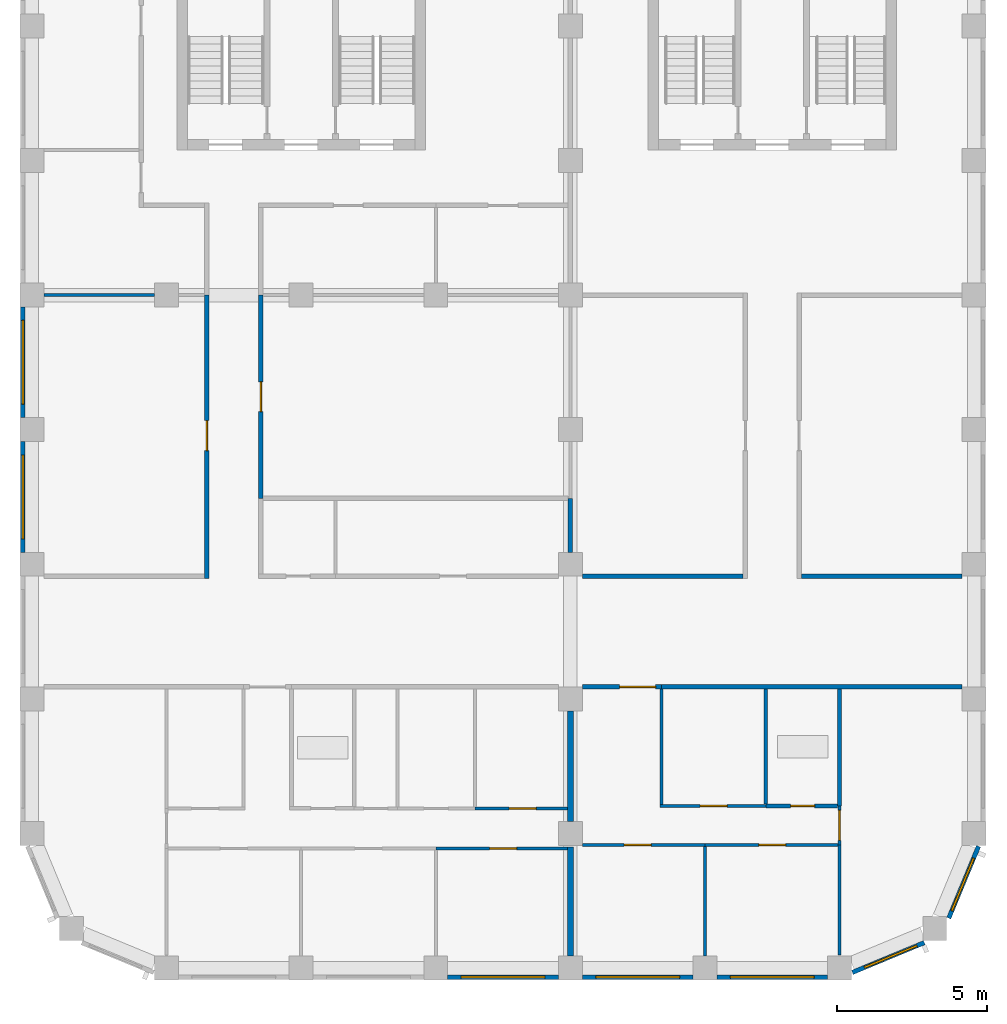
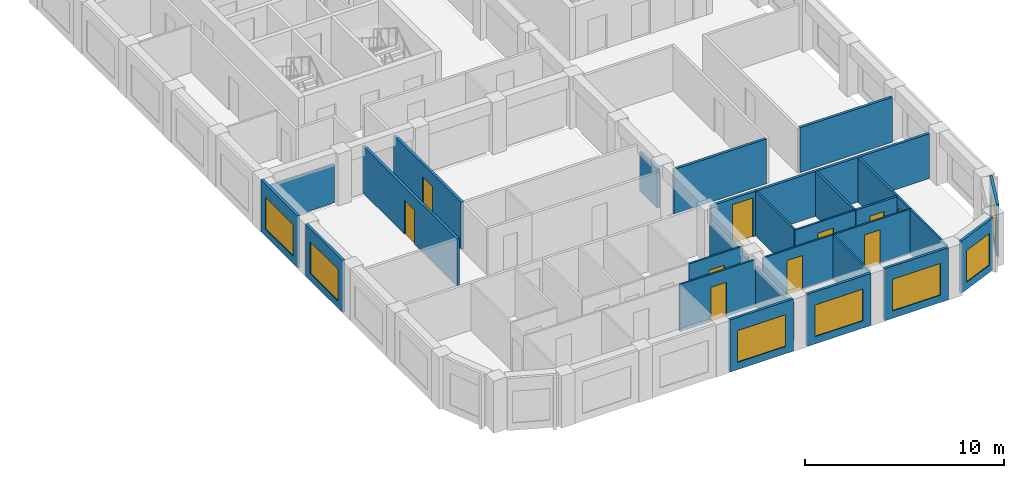
# One storey, part 3 of 10: 29 walls, 10 doors, 7 windows, 17 openings.
"""IFC4 building model written with IfcOpenShell, lengths in metres."""

from ifc_helpers import new_model, si_unit, direction, frame, frame_2d, origin, place, context, subcontext, project, spatial, rectangle, extrude, material, layer, layer_set, type_object, element, fill, save


model = new_model("IFC4")

# Units and contexts
model_context = context("Model", 3, precision=1e-05, world=origin(), true_north=direction((0.0, 1.0)))
body_context = subcontext(model_context, "Body", "Model", "MODEL_VIEW")
ifc_project = project(units=[si_unit("LENGTHUNIT", "METRE"), si_unit("AREAUNIT", "SQUARE_METRE"), si_unit("VOLUMEUNIT", "CUBIC_METRE"), si_unit("PLANEANGLEUNIT", "RADIAN"), si_unit("MASSUNIT", "GRAM", prefix="KILO")], contexts=[model_context])

# Site, building, storey
site_placement = place(None, origin())
site = spatial("IfcSite", under=ifc_project, at=site_placement, CompositionType="ELEMENT")
building_placement = place(site_placement, origin())
building = spatial("IfcBuilding", under=site, at=building_placement, Name="Girih Gate Residences", CompositionType="ELEMENT")
storey_placement = place(building_placement, frame((0.0, 0.0, 192.300048828125)))
storey = spatial("IfcBuildingStorey", under=building, at=storey_placement, Name="L53", CompositionType="ELEMENT", Elevation=192.300048828125)

# Wall, opening, door
ifc_material_1 = material(Name="Gypsum board on steel studs", Category="steel")
ifc_layer_1 = layer(ifc_material_1, 0.14990234375)
ifc_layer_set_1 = layer_set([ifc_layer_1], Name="Compartment wall 150 mm")
wall_type_1 = type_object("IfcWallType", Name="Compartment wall 150 mm", PredefinedType="PARTITIONING", material=ifc_layer_set_1)
wall_1_placement = place(storey_placement, frame((21.050048828125, 9.39990234375, 0.0), z_axis=(0.0, 0.0, 1.0), x_axis=(-1.0, 0.0, 0.0)))
wall_1 = element("IfcWall", 1, at=wall_1_placement, inside=storey, type_object=wall_type_1, Name="L53 partition", PredefinedType="PARTITIONING", context=body_context, shape_type="SweptSolid", body=[
    extrude(rectangle(XDim=2.650146484375, YDim=0.14990234375, at=frame_2d((1.3251953125, 0.0))), origin(), (0.0, 0.0, 1.0), 2.75),
])
opening_1_placement = place(wall_1_placement, frame((0.199951171875, 0.0, 0.0)))
opening_1 = element("IfcOpeningElement", 2, at=opening_1_placement, cuts=wall_1, Name="Opening A53-026", PredefinedType="OPENING", context=body_context, shape_type="SweptSolid", body=[
    extrude(rectangle(XDim=1.199951171875, YDim=2.39990234375, at=frame_2d((0.60009765625, 1.199951171875))), frame((0.0, 0.0849609375, 0.0), z_axis=(0.0, -1.0, 0.0), x_axis=(1.0, 0.0, 0.0)), (0.0, 0.0, 1.0), 0.169921875),
])
ifc_material_2 = material(Name="Timber, fire-rated core", Category="wood")
door_type_1 = type_object("IfcDoorType", Name="Villa entrance door 1200x2400 FD30S", OperationType="NOTDEFINED", PredefinedType="DOOR", material=ifc_material_2)
door_1_placement = place(opening_1_placement, origin())
door_1 = element("IfcDoor", 3, at=door_1_placement, inside=storey, type_object=door_type_1, Name="Door A53-026", OperationType="SINGLE_SWING_LEFT", OverallHeight=2.39990234375, OverallWidth=1.199951171875, PredefinedType="DOOR", context=body_context, shape_type="SweptSolid", body=[
    extrude(rectangle(XDim=1.199951171875, YDim=2.39990234375, at=frame_2d((0.60009765625, 1.199951171875))), frame((0.0, 0.02490234375, 0.0), z_axis=(0.0, -1.0, 0.0), x_axis=(1.0, 0.0, 0.0)), (0.0, 0.0, 1.0), 0.050048828125),
])
fill(opening_1, door_1)

# Wall
wall_2_placement = place(storey_placement, frame((21.050048828125, 9.39990234375, 0.0), z_axis=(0.0, 0.0, 1.0), x_axis=(1.0, 0.0, 0.0)))
element("IfcWall", 4, at=wall_2_placement, inside=storey, type_object=wall_type_1, Name="L53 partition", PredefinedType="PARTITIONING", context=body_context, shape_type="SweptSolid", body=[
    extrude(rectangle(XDim=10.050048828125, YDim=0.14990234375, at=frame_2d((5.02490234375, 0.0))), origin(), (0.0, 0.0, 1.0), 2.75),
])

# Wall, opening, door
wall_3_placement = place(storey_placement, frame((7.64990234375, 22.5, 0.0), z_axis=(0.0, 0.0, 1.0), x_axis=(0.0, -1.0, 0.0)))
wall_3 = element("IfcWall", 5, at=wall_3_placement, inside=storey, type_object=wall_type_1, Name="L53 partition", PredefinedType="PARTITIONING", context=body_context, shape_type="SweptSolid", body=[
    extrude(rectangle(XDim=6.800048828125, YDim=0.14990234375, at=frame_2d((3.39990234375, 0.0))), origin(), (0.0, 0.0, 1.0), 2.89990234375),
])
opening_2_placement = place(wall_3_placement, frame((2.89990234375, 0.0, 0.0)))
opening_2 = element("IfcOpeningElement", 6, at=opening_2_placement, cuts=wall_3, Name="Opening A53-027", PredefinedType="OPENING", context=body_context, shape_type="SweptSolid", body=[
    extrude(rectangle(XDim=1.0, YDim=2.10009765625, at=frame_2d((0.5, 1.050048828125))), frame((0.0, 0.0849609375, 0.0), z_axis=(0.0, -1.0, 0.0), x_axis=(1.0, 0.0, 0.0)), (0.0, 0.0, 1.0), 0.169921875),
])
door_type_2 = type_object("IfcDoorType", Name="Amenity room door 1000x2100 FD30S", OperationType="NOTDEFINED", PredefinedType="DOOR", material=ifc_material_2)
door_2_placement = place(opening_2_placement, origin())
door_2 = element("IfcDoor", 7, at=door_2_placement, inside=storey, type_object=door_type_2, Name="Door A53-027", OperationType="SINGLE_SWING_LEFT", OverallHeight=2.10009765625, OverallWidth=1.0, PredefinedType="DOOR", context=body_context, shape_type="SweptSolid", body=[
    extrude(rectangle(XDim=1.0, YDim=2.10009765625, at=frame_2d((0.5, 1.050048828125))), frame((0.0, 0.02490234375, 0.0), z_axis=(0.0, -1.0, 0.0), x_axis=(1.0, 0.0, 0.0)), (0.0, 0.0, 1.0), 0.050048828125),
])
fill(opening_2, door_2)

# Walls
for number, where, z_axis, x_axis, name in (
    (8, (18.39990234375, 13.10009765625, 0.0), (0.0, 0.0, 1.0), (1.0, 0.0, 0.0), "L53 partition"),
    (9, (25.72509765625, 13.10009765625, 0.0), (0.0, 0.0, 1.0), (1.0, 0.0, 0.0), "L53 partition"),
):
    element("IfcWall", number, at=place(storey_placement, frame(where, z_axis=z_axis, x_axis=x_axis)), inside=storey, type_object=wall_type_1, Name=name, PredefinedType="PARTITIONING", context=body_context, shape_type="SweptSolid", body=[
        extrude(rectangle(XDim=5.375, YDim=0.14990234375, at=frame_2d((2.6875, 0.0))), origin(), (0.0, 0.0, 1.0), 2.75),
    ])
wall_4_placement = place(storey_placement, frame((18.0, 13.89990234375, 0.0), z_axis=(0.0, 0.0, 1.0), x_axis=(0.0, 1.0, 0.0)))
element("IfcWall", 10, at=wall_4_placement, inside=storey, type_object=wall_type_1, Name="L53 partition", PredefinedType="PARTITIONING", context=body_context, shape_type="SweptSolid", body=[
    extrude(rectangle(XDim=1.800048828125, YDim=0.14990234375, at=frame_2d((0.89990234375, 0.0))), origin(), (0.0, 0.0, 1.0), 2.3798828125),
])

# Wall, opening, door
wall_5_placement = place(storey_placement, frame((5.85009765625, 13.02490234375, 0.0), z_axis=(0.0, 0.0, 1.0), x_axis=(0.0, 1.0, 0.0)))
wall_5 = element("IfcWall", 11, at=wall_5_placement, inside=storey, type_object=wall_type_1, Name="L53 partition", PredefinedType="PARTITIONING", context=body_context, shape_type="SweptSolid", body=[
    extrude(rectangle(XDim=9.47509765625, YDim=0.14990234375, at=frame_2d((4.737548828125, 0.0))), origin(), (0.0, 0.0, 1.0), 2.89990234375),
])
opening_3_placement = place(wall_5_placement, frame((4.27490234375, 0.0, 0.0)))
opening_3 = element("IfcOpeningElement", 12, at=opening_3_placement, cuts=wall_5, Name="Opening A53-040", PredefinedType="OPENING", context=body_context, shape_type="SweptSolid", body=[
    extrude(rectangle(XDim=1.0, YDim=2.10009765625, at=frame_2d((0.5, 1.050048828125))), frame((0.0, 0.0849609375, 0.0), z_axis=(0.0, -1.0, 0.0), x_axis=(1.0, 0.0, 0.0)), (0.0, 0.0, 1.0), 0.169921875),
])
door_3_placement = place(opening_3_placement, origin())
door_3 = element("IfcDoor", 13, at=door_3_placement, inside=storey, type_object=door_type_2, Name="Door A53-040", OperationType="SINGLE_SWING_RIGHT", OverallHeight=2.10009765625, OverallWidth=1.0, PredefinedType="DOOR", context=body_context, shape_type="SweptSolid", body=[
    extrude(rectangle(XDim=1.0, YDim=2.10009765625, at=frame_2d((0.5, 1.050048828125))), frame((0.0, 0.02490234375, 0.0), z_axis=(0.0, -1.0, 0.0), x_axis=(1.0, 0.0, 0.0)), (0.0, 0.0, 1.0), 0.050048828125),
])
fill(opening_3, door_3)

ifc_layer_2 = layer(ifc_material_1, 0.10009765625)
ifc_layer_set_2 = layer_set([ifc_layer_2], Name="Partition 100 mm")
wall_type_2 = type_object("IfcWallType", Name="Partition 100 mm", PredefinedType="PARTITIONING", material=ifc_layer_set_2)
wall_6_placement = place(storey_placement, frame((17.89990234375, 4.0, 0.0), z_axis=(0.0, 0.0, 1.0), x_axis=(-1.0, 0.0, 0.0)))
wall_6 = element("IfcWall", 14, at=wall_6_placement, inside=storey, type_object=wall_type_2, Name="L53 partition", PredefinedType="PARTITIONING", context=body_context, shape_type="SweptSolid", body=[
    extrude(rectangle(XDim=4.39990234375, YDim=0.10009765625, at=frame_2d((2.199951171875, 0.0))), origin(), (0.0, 0.0, 1.0), 2.89990234375),
])
opening_4_placement = place(wall_6_placement, frame((1.699951171875, 0.0, 0.0)))
opening_4 = element("IfcOpeningElement", 15, at=opening_4_placement, cuts=wall_6, Name="Opening A53-004", PredefinedType="OPENING", context=body_context, shape_type="SweptSolid", body=[
    extrude(rectangle(XDim=0.89990234375, YDim=2.10009765625, at=frame_2d((0.449951171875, 1.050048828125))), frame((0.0, 0.06005859375, 0.0), z_axis=(0.0, -1.0, 0.0), x_axis=(1.0, 0.0, 0.0)), (0.0, 0.0, 1.0), 0.1201171875),
])
ifc_material_3 = material(Name="Timber", Category="wood")
door_type_3 = type_object("IfcDoorType", Name="Bedroom door 900x2100", OperationType="NOTDEFINED", PredefinedType="DOOR", material=ifc_material_3)
door_4_placement = place(opening_4_placement, origin())
door_4 = element("IfcDoor", 16, at=door_4_placement, inside=storey, type_object=door_type_3, Name="Door A53-004", OperationType="SINGLE_SWING_LEFT", OverallHeight=2.10009765625, OverallWidth=0.89990234375, PredefinedType="DOOR", context=body_context, shape_type="SweptSolid", body=[
    extrude(rectangle(XDim=0.89990234375, YDim=2.10009765625, at=frame_2d((0.449951171875, 1.050048828125))), frame((0.0, 0.02490234375, 0.0), z_axis=(0.0, -1.0, 0.0), x_axis=(1.0, 0.0, 0.0)), (0.0, 0.0, 1.0), 0.050048828125),
])
fill(opening_4, door_4)

wall_7_placement = place(storey_placement, frame((14.8076171875, 5.340087890625, 0.0), z_axis=(0.0, 0.0, 1.0), x_axis=(1.0, 0.0, 0.0)))
wall_7 = element("IfcWall", 17, at=wall_7_placement, inside=storey, type_object=wall_type_2, Name="L53 partition", PredefinedType="PARTITIONING", context=body_context, shape_type="SweptSolid", body=[
    extrude(rectangle(XDim=3.09228515625, YDim=0.10009765625, at=frame_2d((1.546142578125, 0.0))), origin(), (0.0, 0.0, 1.0), 2.89990234375),
])
opening_5_placement = place(wall_7_placement, frame((1.146240234375, 0.0, 0.0)))
opening_5 = element("IfcOpeningElement", 18, at=opening_5_placement, cuts=wall_7, Name="Opening A53-009", PredefinedType="OPENING", context=body_context, shape_type="SweptSolid", body=[
    extrude(rectangle(XDim=0.89990234375, YDim=2.10009765625, at=frame_2d((0.449951171875, 1.050048828125))), frame((0.0, 0.06005859375, 0.0), z_axis=(0.0, -1.0, 0.0), x_axis=(1.0, 0.0, 0.0)), (0.0, 0.0, 1.0), 0.1201171875),
])
door_5_placement = place(opening_5_placement, origin())
door_5 = element("IfcDoor", 19, at=door_5_placement, inside=storey, type_object=door_type_3, Name="Door A53-009", OperationType="SINGLE_SWING_RIGHT", OverallHeight=2.10009765625, OverallWidth=0.89990234375, PredefinedType="DOOR", context=body_context, shape_type="SweptSolid", body=[
    extrude(rectangle(XDim=0.89990234375, YDim=2.10009765625, at=frame_2d((0.449951171875, 1.050048828125))), frame((0.0, 0.02490234375, 0.0), z_axis=(0.0, -1.0, 0.0), x_axis=(1.0, 0.0, 0.0)), (0.0, 0.0, 1.0), 0.050048828125),
])
fill(opening_5, door_5)

# Wall
wall_8_placement = place(storey_placement, frame((22.5, 0.39990234375, 0.0), z_axis=(0.0, 0.0, 1.0), x_axis=(0.0, 1.0, 0.0)))
element("IfcWall", 20, at=wall_8_placement, inside=storey, type_object=wall_type_2, Name="L53 partition", PredefinedType="PARTITIONING", context=body_context, shape_type="SweptSolid", body=[
    extrude(rectangle(XDim=3.670166015625, YDim=0.10009765625, at=frame_2d((1.8349609375, 0.0))), origin(), (0.0, 0.0, 1.0), 2.75),
])

# Wall, opening, door
wall_9_placement = place(storey_placement, frame((22.5, 4.1201171875, 0.0), z_axis=(0.0, 0.0, 1.0), x_axis=(-1.0, 0.0, 0.0)))
wall_9 = element("IfcWall", 21, at=wall_9_placement, inside=storey, type_object=wall_type_2, Name="L53 partition", PredefinedType="PARTITIONING", context=body_context, shape_type="SweptSolid", body=[
    extrude(rectangle(XDim=4.10009765625, YDim=0.10009765625, at=frame_2d((2.050048828125, 0.0))), origin(), (0.0, 0.0, 1.0), 2.75),
])
opening_6_placement = place(wall_9_placement, frame((1.800048828125, 0.0, 0.0)))
opening_6 = element("IfcOpeningElement", 22, at=opening_6_placement, cuts=wall_9, Name="Opening A53-022", PredefinedType="OPENING", context=body_context, shape_type="SweptSolid", body=[
    extrude(rectangle(XDim=0.89990234375, YDim=2.10009765625, at=frame_2d((0.449951171875, 1.050048828125))), frame((0.0, 0.06005859375, 0.0), z_axis=(0.0, -1.0, 0.0), x_axis=(1.0, 0.0, 0.0)), (0.0, 0.0, 1.0), 0.1201171875),
])
door_6_placement = place(opening_6_placement, origin())
door_6 = element("IfcDoor", 23, at=door_6_placement, inside=storey, type_object=door_type_3, Name="Door A53-022", OperationType="SINGLE_SWING_RIGHT", OverallHeight=2.10009765625, OverallWidth=0.89990234375, PredefinedType="DOOR", context=body_context, shape_type="SweptSolid", body=[
    extrude(rectangle(XDim=0.89990234375, YDim=2.10009765625, at=frame_2d((0.449951171875, 1.050048828125))), frame((0.0, 0.02490234375, 0.0), z_axis=(0.0, -1.0, 0.0), x_axis=(1.0, 0.0, 0.0)), (0.0, 0.0, 1.0), 0.050048828125),
])
fill(opening_6, door_6)

wall_10_placement = place(storey_placement, frame((26.949951171875, 4.1201171875, 0.0), z_axis=(0.0, 0.0, 1.0), x_axis=(-1.0, 0.0, 0.0)))
wall_10 = element("IfcWall", 24, at=wall_10_placement, inside=storey, type_object=wall_type_2, Name="L53 partition", PredefinedType="PARTITIONING", context=body_context, shape_type="SweptSolid", body=[
    extrude(rectangle(XDim=4.449951171875, YDim=0.10009765625, at=frame_2d((2.22509765625, 0.0))), origin(), (0.0, 0.0, 1.0), 2.75),
])
opening_7_placement = place(wall_10_placement, frame((1.75, 0.0, 0.0)))
opening_7 = element("IfcOpeningElement", 25, at=opening_7_placement, cuts=wall_10, Name="Opening A53-023", PredefinedType="OPENING", context=body_context, shape_type="SweptSolid", body=[
    extrude(rectangle(XDim=0.89990234375, YDim=2.10009765625, at=frame_2d((0.449951171875, 1.050048828125))), frame((0.0, 0.06005859375, 0.0), z_axis=(0.0, -1.0, 0.0), x_axis=(1.0, 0.0, 0.0)), (0.0, 0.0, 1.0), 0.1201171875),
])
door_7_placement = place(opening_7_placement, origin())
door_7 = element("IfcDoor", 26, at=door_7_placement, inside=storey, type_object=door_type_3, Name="Door A53-023", OperationType="SINGLE_SWING_LEFT", OverallHeight=2.10009765625, OverallWidth=0.89990234375, PredefinedType="DOOR", context=body_context, shape_type="SweptSolid", body=[
    extrude(rectangle(XDim=0.89990234375, YDim=2.10009765625, at=frame_2d((0.449951171875, 1.050048828125))), frame((0.0, 0.02490234375, 0.0), z_axis=(0.0, -1.0, 0.0), x_axis=(1.0, 0.0, 0.0)), (0.0, 0.0, 1.0), 0.050048828125),
])
fill(opening_7, door_7)

# Walls
wall_11_placement = place(storey_placement, frame((27.0, 0.432861328125, 0.0), z_axis=(0.0, 0.0, 1.0), x_axis=(0.0, 1.0, 0.0)))
element("IfcWall", 27, at=wall_11_placement, inside=storey, type_object=wall_type_2, Name="L53 partition", PredefinedType="PARTITIONING", context=body_context, shape_type="SweptSolid", body=[
    extrude(rectangle(XDim=3.687255859375, YDim=0.10009765625, at=frame_2d((1.84375, 0.0))), origin(), (0.0, 0.0, 1.0), 2.75),
])
wall_12_placement = place(storey_placement, frame((21.050048828125, 5.469970703125, 0.0), z_axis=(0.0, 0.0, 1.0), x_axis=(0.0, 1.0, 0.0)))
element("IfcWall", 28, at=wall_12_placement, inside=storey, type_object=wall_type_2, Name="L53 partition", PredefinedType="PARTITIONING", context=body_context, shape_type="SweptSolid", body=[
    extrude(rectangle(XDim=3.85498046875, YDim=0.10009765625, at=frame_2d((1.927490234375, 0.0))), origin(), (0.0, 0.0, 1.0), 2.75),
])

# Wall, opening, door
wall_13_placement = place(storey_placement, frame((21.0, 5.419921875, 0.0), z_axis=(0.0, 0.0, 1.0), x_axis=(1.0, 0.0, 0.0)))
wall_13 = element("IfcWall", 29, at=wall_13_placement, inside=storey, type_object=wall_type_2, Name="L53 partition", PredefinedType="PARTITIONING", context=body_context, shape_type="SweptSolid", body=[
    extrude(rectangle(XDim=3.53369140625, YDim=0.10009765625, at=frame_2d((1.766845703125, 0.0))), origin(), (0.0, 0.0, 1.0), 2.75),
])
opening_8_placement = place(wall_13_placement, frame((1.341796875, 0.0, 0.0)))
opening_8 = element("IfcOpeningElement", 30, at=opening_8_placement, cuts=wall_13, Name="Opening A53-024", PredefinedType="OPENING", context=body_context, shape_type="SweptSolid", body=[
    extrude(rectangle(XDim=0.89990234375, YDim=2.10009765625, at=frame_2d((0.449951171875, 1.050048828125))), frame((0.0, 0.06005859375, 0.0), z_axis=(0.0, -1.0, 0.0), x_axis=(1.0, 0.0, 0.0)), (0.0, 0.0, 1.0), 0.1201171875),
])
door_type_4 = type_object("IfcDoorType", Name="Kitchen door 900x2100", OperationType="NOTDEFINED", PredefinedType="DOOR", material=ifc_material_3)
door_8_placement = place(opening_8_placement, origin())
door_8 = element("IfcDoor", 31, at=door_8_placement, inside=storey, type_object=door_type_4, Name="Door A53-024", OperationType="SINGLE_SWING_RIGHT", OverallHeight=2.10009765625, OverallWidth=0.89990234375, PredefinedType="DOOR", context=body_context, shape_type="SweptSolid", body=[
    extrude(rectangle(XDim=0.89990234375, YDim=2.10009765625, at=frame_2d((0.449951171875, 1.050048828125))), frame((0.0, 0.02490234375, 0.0), z_axis=(0.0, -1.0, 0.0), x_axis=(1.0, 0.0, 0.0)), (0.0, 0.0, 1.0), 0.050048828125),
])
fill(opening_8, door_8)

wall_14_placement = place(storey_placement, frame((27.0, 5.419921875, 0.0), z_axis=(0.0, 0.0, 1.0), x_axis=(0.0, -1.0, 0.0)))
wall_14 = element("IfcWall", 32, at=wall_14_placement, inside=storey, type_object=wall_type_2, Name="L53 partition", PredefinedType="PARTITIONING", context=body_context, shape_type="SweptSolid", body=[
    extrude(rectangle(XDim=1.2998046875, YDim=0.10009765625, at=frame_2d((0.64990234375, 0.0))), origin(), (0.0, 0.0, 1.0), 2.75),
])
opening_9_placement = place(wall_14_placement, frame((0.14990234375, 0.0, 0.0)))
opening_9 = element("IfcOpeningElement", 33, at=opening_9_placement, cuts=wall_14, Name="Opening A53-025", PredefinedType="OPENING", context=body_context, shape_type="SweptSolid", body=[
    extrude(rectangle(XDim=1.0, YDim=2.10009765625, at=frame_2d((0.5, 1.050048828125))), frame((0.0, 0.06005859375, 0.0), z_axis=(0.0, -1.0, 0.0), x_axis=(1.0, 0.0, 0.0)), (0.0, 0.0, 1.0), 0.1201171875),
])
door_type_5 = type_object("IfcDoorType", Name="Living room door 1000x2100", OperationType="NOTDEFINED", PredefinedType="DOOR", material=ifc_material_3)
door_9_placement = place(opening_9_placement, origin())
door_9 = element("IfcDoor", 34, at=door_9_placement, inside=storey, type_object=door_type_5, Name="Door A53-025", OperationType="SINGLE_SWING_LEFT", OverallHeight=2.10009765625, OverallWidth=1.0, PredefinedType="DOOR", context=body_context, shape_type="SweptSolid", body=[
    extrude(rectangle(XDim=1.0, YDim=2.10009765625, at=frame_2d((0.5, 1.050048828125))), frame((0.0, 0.02490234375, 0.0), z_axis=(0.0, -1.0, 0.0), x_axis=(1.0, 0.0, 0.0)), (0.0, 0.0, 1.0), 0.050048828125),
])
fill(opening_9, door_9)

# Walls
wall_15_placement = place(storey_placement, frame((0.39990234375, 22.5, 0.0), z_axis=(0.0, 0.0, 1.0), x_axis=(1.0, 0.0, 0.0)))
element("IfcWall", 35, at=wall_15_placement, inside=storey, type_object=wall_type_2, Name="L53 partition", PredefinedType="PARTITIONING", context=body_context, shape_type="SweptSolid", body=[
    extrude(rectangle(XDim=3.7001953125, YDim=0.10009765625, at=frame_2d((1.85009765625, 0.0))), origin(), (0.0, 0.0, 1.0), 2.3798828125),
])
ifc_layer_3 = layer(ifc_material_1, 0.199951171875)
ifc_layer_set_3 = layer_set([ifc_layer_3], Name="Party wall 200 mm")
wall_type_3 = type_object("IfcWallType", Name="Party wall 200 mm", PredefinedType="PARTITIONING", material=ifc_layer_set_3)
wall_16_placement = place(storey_placement, frame((18.0, 0.39990234375, 0.0), z_axis=(0.0, 0.0, 1.0), x_axis=(0.0, 1.0, 0.0)))
element("IfcWall", 36, at=wall_16_placement, inside=storey, type_object=wall_type_3, Name="L53 partition", PredefinedType="PARTITIONING", context=body_context, shape_type="SweptSolid", body=[
    extrude(rectangle(XDim=3.650146484375, YDim=0.199951171875, at=frame_2d((1.8251953125, 0.0))), origin(), (0.0, 0.0, 1.0), 2.3798828125),
])
wall_17_placement = place(storey_placement, frame((18.0, 4.89990234375, 0.0), z_axis=(0.0, 0.0, 1.0), x_axis=(0.0, 1.0, 0.0)))
element("IfcWall", 37, at=wall_17_placement, inside=storey, type_object=wall_type_3, Name="L53 partition", PredefinedType="PARTITIONING", context=body_context, shape_type="SweptSolid", body=[
    extrude(rectangle(XDim=3.7001953125, YDim=0.199951171875, at=frame_2d((1.85009765625, 0.0))), origin(), (0.0, 0.0, 1.0), 2.3798828125),
])

# Wall, opening, window
ifc_material_4 = material(Name="Precast concrete C50/60", Category="concrete")
ifc_layer_4 = layer(ifc_material_4, 0.050048828125, Name="Outer leaf")
ifc_material_5 = material(Name="Rigid PIR insulation")
ifc_layer_5 = layer(ifc_material_5, 0.06005859375, Name="Insulation")
ifc_material_6 = material(Name="Precast concrete C40/50", Category="concrete")
ifc_layer_6 = layer(ifc_material_6, 0.0400390625, Name="Inner leaf")
ifc_layer_set_4 = layer_set([ifc_layer_4, ifc_layer_5, ifc_layer_6], Name="Precast concrete C50/60 external wall 150")
wall_type_4 = type_object("IfcWallType", Name="Precast concrete C50/60 external wall 150", PredefinedType="SOLIDWALL", material=ifc_layer_set_4)
wall_18_placement = place(storey_placement, frame((29.8330078125, 0.8486328125, 0.0), z_axis=(0.0, 0.0, 1.0), x_axis=(-0.923885342263, -0.382669406082, 0.0)))
wall_18 = element("IfcWall", 38, at=wall_18_placement, inside=storey, type_object=wall_type_4, Name="External wall SE0270_0000.0", PredefinedType="SOLIDWALL", context=body_context, shape_type="SweptSolid", body=[
    extrude(rectangle(XDim=2.602294921875, YDim=0.14990234375, at=frame_2d((1.30126953125, 0.0))), origin(), (0.0, 0.0, 1.0), 3.199951171875),
])
opening_10_placement = place(wall_18_placement, frame((0.27001953125, 0.0, 0.449951171875)))
opening_10 = element("IfcOpeningElement", 39, at=opening_10_placement, cuts=wall_18, Name="Opening W-2G", PredefinedType="OPENING", context=body_context, shape_type="SweptSolid", body=[
    extrude(rectangle(XDim=1.89990234375, YDim=1.949951171875, at=frame_2d((0.949951171875, 0.97509765625))), frame((0.0, 0.0849609375, 0.0), z_axis=(0.0, -1.0, 0.0), x_axis=(1.0, 0.0, 0.0)), (0.0, 0.0, 1.0), 0.169921875),
])
ifc_material_7 = material(Name="Double glazing in aluminium frame", Category="aluminium")
window_type_1 = type_object("IfcWindowType", Name="Window W-2G 1900x1950", PartitioningType="SINGLE_PANEL", PredefinedType="WINDOW", material=ifc_material_7)
window_1_placement = place(opening_10_placement, origin())
window_1 = element("IfcWindow", 40, at=window_1_placement, inside=storey, type_object=window_type_1, Name="Window W-2G SE0270_0000.0", OverallHeight=1.949951171875, OverallWidth=1.89990234375, PartitioningType="SINGLE_PANEL", PredefinedType="WINDOW", context=body_context, shape_type="SweptSolid", body=[
    extrude(rectangle(XDim=1.89990234375, YDim=1.949951171875, at=frame_2d((0.949951171875, 0.97509765625))), frame((0.0, 0.030029296875, 0.0), z_axis=(0.0, -1.0, 0.0), x_axis=(1.0, 0.0, 0.0)), (0.0, 0.0, 1.0), 0.06005859375),
])
fill(opening_10, window_1)

wall_19_placement = place(storey_placement, frame((31.647216796875, 4.0712890625, 0.0), z_axis=(0.0, 0.0, 1.0), x_axis=(-0.382669406082, -0.923885342263, 0.0)))
wall_19 = element("IfcWall", 41, at=wall_19_placement, inside=storey, type_object=wall_type_4, Name="External wall SE0302_0013.0", PredefinedType="SOLIDWALL", context=body_context, shape_type="SweptSolid", body=[
    extrude(rectangle(XDim=2.602294921875, YDim=0.14990234375, at=frame_2d((1.30126953125, 0.0))), origin(), (0.0, 0.0, 1.0), 3.199951171875),
])
opening_11_placement = place(wall_19_placement, frame((0.432373046875, 0.0, 0.449951171875)))
opening_11 = element("IfcOpeningElement", 42, at=opening_11_placement, cuts=wall_19, Name="Opening W-2G", PredefinedType="OPENING", context=body_context, shape_type="SweptSolid", body=[
    extrude(rectangle(XDim=1.89990234375, YDim=1.949951171875, at=frame_2d((0.949951171875, 0.97509765625))), frame((0.0, 0.0849609375, 0.0), z_axis=(0.0, -1.0, 0.0), x_axis=(1.0, 0.0, 0.0)), (0.0, 0.0, 1.0), 0.169921875),
])
window_2_placement = place(opening_11_placement, origin())
window_2 = element("IfcWindow", 43, at=window_2_placement, inside=storey, type_object=window_type_1, Name="Window W-2G SE0302_0013.0", OverallHeight=1.949951171875, OverallWidth=1.89990234375, PartitioningType="SINGLE_PANEL", PredefinedType="WINDOW", context=body_context, shape_type="SweptSolid", body=[
    extrude(rectangle(XDim=1.89990234375, YDim=1.949951171875, at=frame_2d((0.949951171875, 0.97509765625))), frame((0.0, 0.030029296875, 0.0), z_axis=(0.0, -1.0, 0.0), x_axis=(1.0, 0.0, 0.0)), (0.0, 0.0, 1.0), 0.06005859375),
])
fill(opening_11, window_2)

wall_20_placement = place(storey_placement, frame((-0.300048828125, 18.39990234375, 0.0), z_axis=(0.0, 0.0, 1.0), x_axis=(0.0, 1.0, 0.0)))
wall_20 = element("IfcWall", 44, at=wall_20_placement, inside=storey, type_object=wall_type_4, Name="External wall W0000_0450.5", PredefinedType="SOLIDWALL", context=body_context, shape_type="SweptSolid", body=[
    extrude(rectangle(XDim=3.7001953125, YDim=0.14990234375, at=frame_2d((1.85009765625, 0.0))), origin(), (0.0, 0.0, 1.0), 3.199951171875),
])
opening_12_placement = place(wall_20_placement, frame((0.449951171875, 0.0, 0.449951171875)))
opening_12 = element("IfcOpeningElement", 45, at=opening_12_placement, cuts=wall_20, Name="Opening W-1B", PredefinedType="OPENING", context=body_context, shape_type="SweptSolid", body=[
    extrude(rectangle(XDim=2.800048828125, YDim=1.949951171875, at=frame_2d((1.39990234375, 0.97509765625))), frame((0.0, 0.0849609375, 0.0), z_axis=(0.0, -1.0, 0.0), x_axis=(1.0, 0.0, 0.0)), (0.0, 0.0, 1.0), 0.169921875),
])
window_type_2 = type_object("IfcWindowType", Name="Window W-1B 2800x1950", PartitioningType="SINGLE_PANEL", PredefinedType="WINDOW", material=ifc_material_7)
window_3_placement = place(opening_12_placement, origin())
window_3 = element("IfcWindow", 46, at=window_3_placement, inside=storey, type_object=window_type_2, Name="Window W-1B W0000_0450.5", OverallHeight=1.949951171875, OverallWidth=2.800048828125, PartitioningType="SINGLE_PANEL", PredefinedType="WINDOW", context=body_context, shape_type="SweptSolid", body=[
    extrude(rectangle(XDim=2.800048828125, YDim=1.949951171875, at=frame_2d((1.39990234375, 0.97509765625))), frame((0.0, 0.030029296875, 0.0), z_axis=(0.0, -1.0, 0.0), x_axis=(1.0, 0.0, 0.0)), (0.0, 0.0, 1.0), 0.06005859375),
])
fill(opening_12, window_3)

wall_21_placement = place(storey_placement, frame((-0.300048828125, 13.89990234375, 0.0), z_axis=(0.0, 0.0, 1.0), x_axis=(0.0, 1.0, 0.0)))
wall_21 = element("IfcWall", 47, at=wall_21_placement, inside=storey, type_object=wall_type_4, Name="External wall W0000_0450.6", PredefinedType="SOLIDWALL", context=body_context, shape_type="SweptSolid", body=[
    extrude(rectangle(XDim=3.7001953125, YDim=0.14990234375, at=frame_2d((1.85009765625, 0.0))), origin(), (0.0, 0.0, 1.0), 3.199951171875),
])
opening_13_placement = place(wall_21_placement, frame((0.449951171875, 0.0, 0.449951171875)))
opening_13 = element("IfcOpeningElement", 48, at=opening_13_placement, cuts=wall_21, Name="Opening W-1B", PredefinedType="OPENING", context=body_context, shape_type="SweptSolid", body=[
    extrude(rectangle(XDim=2.800048828125, YDim=1.949951171875, at=frame_2d((1.39990234375, 0.97509765625))), frame((0.0, 0.0849609375, 0.0), z_axis=(0.0, -1.0, 0.0), x_axis=(1.0, 0.0, 0.0)), (0.0, 0.0, 1.0), 0.169921875),
])
window_4_placement = place(opening_13_placement, origin())
window_4 = element("IfcWindow", 49, at=window_4_placement, inside=storey, type_object=window_type_2, Name="Window W-1B W0000_0450.6", OverallHeight=1.949951171875, OverallWidth=2.800048828125, PartitioningType="SINGLE_PANEL", PredefinedType="WINDOW", context=body_context, shape_type="SweptSolid", body=[
    extrude(rectangle(XDim=2.800048828125, YDim=1.949951171875, at=frame_2d((1.39990234375, 0.97509765625))), frame((0.0, 0.030029296875, 0.0), z_axis=(0.0, -1.0, 0.0), x_axis=(1.0, 0.0, 0.0)), (0.0, 0.0, 1.0), 0.06005859375),
])
fill(opening_13, window_4)

wall_22_placement = place(storey_placement, frame((17.60009765625, -0.300048828125, 0.0), z_axis=(0.0, 0.0, 1.0), x_axis=(-1.0, 0.0, 0.0)))
wall_22 = element("IfcWall", 50, at=wall_22_placement, inside=storey, type_object=wall_type_4, Name="External wall S0045_0000.2", PredefinedType="SOLIDWALL", context=body_context, shape_type="SweptSolid", body=[
    extrude(rectangle(XDim=3.7001953125, YDim=0.14990234375, at=frame_2d((1.85009765625, 0.0))), origin(), (0.0, 0.0, 1.0), 3.199951171875),
])
opening_14_placement = place(wall_22_placement, frame((0.449951171875, 0.0, 0.449951171875)))
opening_14 = element("IfcOpeningElement", 51, at=opening_14_placement, cuts=wall_22, Name="Opening W-1B", PredefinedType="OPENING", context=body_context, shape_type="SweptSolid", body=[
    extrude(rectangle(XDim=2.800048828125, YDim=1.949951171875, at=frame_2d((1.39990234375, 0.97509765625))), frame((0.0, 0.0849609375, 0.0), z_axis=(0.0, -1.0, 0.0), x_axis=(1.0, 0.0, 0.0)), (0.0, 0.0, 1.0), 0.169921875),
])
window_5_placement = place(opening_14_placement, origin())
window_5 = element("IfcWindow", 52, at=window_5_placement, inside=storey, type_object=window_type_2, Name="Window W-1B S0045_0000.2", OverallHeight=1.949951171875, OverallWidth=2.800048828125, PartitioningType="SINGLE_PANEL", PredefinedType="WINDOW", context=body_context, shape_type="SweptSolid", body=[
    extrude(rectangle(XDim=2.800048828125, YDim=1.949951171875, at=frame_2d((1.39990234375, 0.97509765625))), frame((0.0, 0.030029296875, 0.0), z_axis=(0.0, -1.0, 0.0), x_axis=(1.0, 0.0, 0.0)), (0.0, 0.0, 1.0), 0.06005859375),
])
fill(opening_14, window_5)

wall_23_placement = place(storey_placement, frame((22.10009765625, -0.300048828125, 0.0), z_axis=(0.0, 0.0, 1.0), x_axis=(-1.0, 0.0, 0.0)))
wall_23 = element("IfcWall", 53, at=wall_23_placement, inside=storey, type_object=wall_type_4, Name="External wall S0045_0000.3", PredefinedType="SOLIDWALL", context=body_context, shape_type="SweptSolid", body=[
    extrude(rectangle(XDim=3.7001953125, YDim=0.14990234375, at=frame_2d((1.85009765625, 0.0))), origin(), (0.0, 0.0, 1.0), 3.199951171875),
])
opening_15_placement = place(wall_23_placement, frame((0.449951171875, 0.0, 0.449951171875)))
opening_15 = element("IfcOpeningElement", 54, at=opening_15_placement, cuts=wall_23, Name="Opening W-1B", PredefinedType="OPENING", context=body_context, shape_type="SweptSolid", body=[
    extrude(rectangle(XDim=2.800048828125, YDim=1.949951171875, at=frame_2d((1.39990234375, 0.97509765625))), frame((0.0, 0.0849609375, 0.0), z_axis=(0.0, -1.0, 0.0), x_axis=(1.0, 0.0, 0.0)), (0.0, 0.0, 1.0), 0.169921875),
])
window_6_placement = place(opening_15_placement, origin())
window_6 = element("IfcWindow", 55, at=window_6_placement, inside=storey, type_object=window_type_2, Name="Window W-1B S0045_0000.3", OverallHeight=1.949951171875, OverallWidth=2.800048828125, PartitioningType="SINGLE_PANEL", PredefinedType="WINDOW", context=body_context, shape_type="SweptSolid", body=[
    extrude(rectangle(XDim=2.800048828125, YDim=1.949951171875, at=frame_2d((1.39990234375, 0.97509765625))), frame((0.0, 0.030029296875, 0.0), z_axis=(0.0, -1.0, 0.0), x_axis=(1.0, 0.0, 0.0)), (0.0, 0.0, 1.0), 0.06005859375),
])
fill(opening_15, window_6)

wall_24_placement = place(storey_placement, frame((26.60009765625, -0.300048828125, 0.0), z_axis=(0.0, 0.0, 1.0), x_axis=(-1.0, 0.0, 0.0)))
wall_24 = element("IfcWall", 56, at=wall_24_placement, inside=storey, type_object=wall_type_4, Name="External wall S0045_0000.4", PredefinedType="SOLIDWALL", context=body_context, shape_type="SweptSolid", body=[
    extrude(rectangle(XDim=3.7001953125, YDim=0.14990234375, at=frame_2d((1.85009765625, 0.0))), origin(), (0.0, 0.0, 1.0), 3.199951171875),
])
opening_16_placement = place(wall_24_placement, frame((0.449951171875, 0.0, 0.449951171875)))
opening_16 = element("IfcOpeningElement", 57, at=opening_16_placement, cuts=wall_24, Name="Opening W-1B", PredefinedType="OPENING", context=body_context, shape_type="SweptSolid", body=[
    extrude(rectangle(XDim=2.800048828125, YDim=1.949951171875, at=frame_2d((1.39990234375, 0.97509765625))), frame((0.0, 0.0849609375, 0.0), z_axis=(0.0, -1.0, 0.0), x_axis=(1.0, 0.0, 0.0)), (0.0, 0.0, 1.0), 0.169921875),
])
window_7_placement = place(opening_16_placement, origin())
window_7 = element("IfcWindow", 58, at=window_7_placement, inside=storey, type_object=window_type_2, Name="Window W-1B S0045_0000.4", OverallHeight=1.949951171875, OverallWidth=2.800048828125, PartitioningType="SINGLE_PANEL", PredefinedType="WINDOW", context=body_context, shape_type="SweptSolid", body=[
    extrude(rectangle(XDim=2.800048828125, YDim=1.949951171875, at=frame_2d((1.39990234375, 0.97509765625))), frame((0.0, 0.030029296875, 0.0), z_axis=(0.0, -1.0, 0.0), x_axis=(1.0, 0.0, 0.0)), (0.0, 0.0, 1.0), 0.06005859375),
])
fill(opening_16, window_7)

# Wall, opening, door
ifc_layer_7 = layer(ifc_material_1, 0.125)
ifc_layer_set_5 = layer_set([ifc_layer_7], Name="Wet room wall 125 mm")
wall_type_5 = type_object("IfcWallType", Name="Wet room wall 125 mm", PredefinedType="PARTITIONING", material=ifc_layer_set_5)
wall_25_placement = place(storey_placement, frame((24.53369140625, 5.419921875, 0.0), z_axis=(0.0, 0.0, 1.0), x_axis=(1.0, 0.0, 0.0)))
wall_25 = element("IfcWall", 59, at=wall_25_placement, inside=storey, type_object=wall_type_5, Name="L53 partition", PredefinedType="PARTITIONING", context=body_context, shape_type="SweptSolid", body=[
    extrude(rectangle(XDim=2.40380859375, YDim=0.125, at=frame_2d((1.201904296875, 0.0))), origin(), (0.0, 0.0, 1.0), 2.75),
])
opening_17_placement = place(wall_25_placement, frame((0.833251953125, 0.0, 0.0)))
opening_17 = element("IfcOpeningElement", 60, at=opening_17_placement, cuts=wall_25, Name="Opening A53-021", PredefinedType="OPENING", context=body_context, shape_type="SweptSolid", body=[
    extrude(rectangle(XDim=0.800048828125, YDim=2.10009765625, at=frame_2d((0.39990234375, 1.050048828125))), frame((0.0, 0.072509765625, 0.0), z_axis=(0.0, -1.0, 0.0), x_axis=(1.0, 0.0, 0.0)), (0.0, 0.0, 1.0), 0.14501953125),
])
door_type_6 = type_object("IfcDoorType", Name="Bathroom door 800x2100", OperationType="NOTDEFINED", PredefinedType="DOOR", material=ifc_material_3)
door_10_placement = place(opening_17_placement, origin())
door_10 = element("IfcDoor", 61, at=door_10_placement, inside=storey, type_object=door_type_6, Name="Door A53-021", OperationType="SINGLE_SWING_RIGHT", OverallHeight=2.10009765625, OverallWidth=0.800048828125, PredefinedType="DOOR", context=body_context, shape_type="SweptSolid", body=[
    extrude(rectangle(XDim=0.800048828125, YDim=2.10009765625, at=frame_2d((0.39990234375, 1.050048828125))), frame((0.0, 0.02490234375, 0.0), z_axis=(0.0, -1.0, 0.0), x_axis=(1.0, 0.0, 0.0)), (0.0, 0.0, 1.0), 0.050048828125),
])
fill(opening_17, door_10)

# Walls
wall_26_placement = place(storey_placement, frame((24.533935546875, 5.482421875, 0.0), z_axis=(0.0, 0.0, 1.0), x_axis=(0.0, 1.0, 0.0)))
element("IfcWall", 62, at=wall_26_placement, inside=storey, type_object=wall_type_5, Name="L53 partition", PredefinedType="PARTITIONING", context=body_context, shape_type="SweptSolid", body=[
    extrude(rectangle(XDim=3.842529296875, YDim=0.125, at=frame_2d((1.92138671875, 0.0))), origin(), (0.0, 0.0, 1.0), 2.75),
])
wall_27_placement = place(storey_placement, frame((27.0, 5.419921875, 0.0), z_axis=(0.0, 0.0, 1.0), x_axis=(0.0, 1.0, 0.0)))
element("IfcWall", 63, at=wall_27_placement, inside=storey, type_object=wall_type_5, Name="L53 partition", PredefinedType="PARTITIONING", context=body_context, shape_type="SweptSolid", body=[
    extrude(rectangle(XDim=3.905029296875, YDim=0.125, at=frame_2d((1.95263671875, 0.0))), origin(), (0.0, 0.0, 1.0), 2.75),
])

save(model, "model.ifc")
